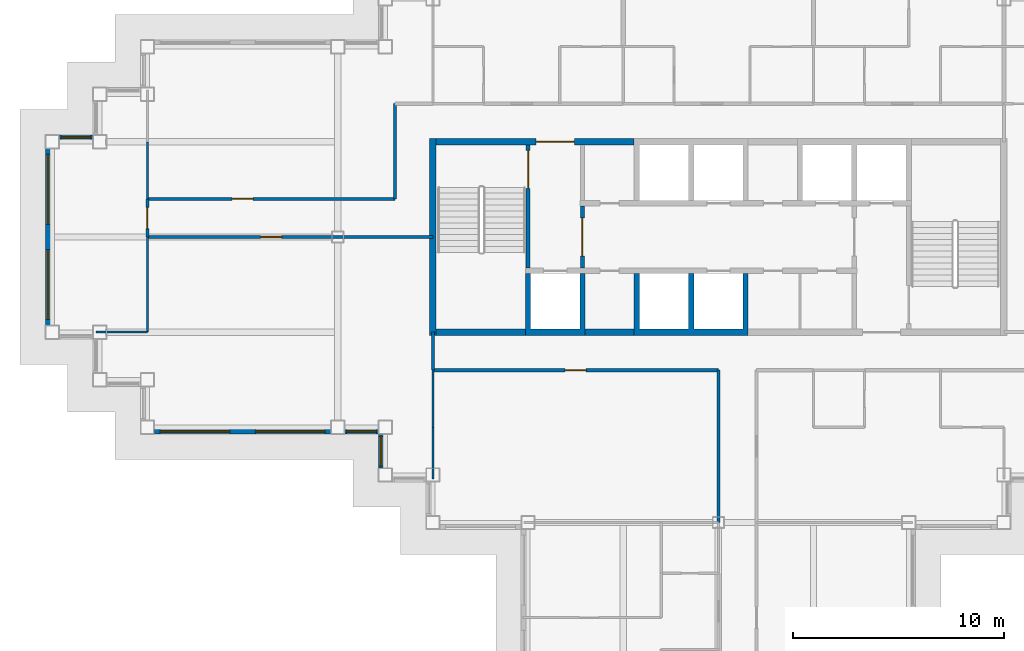
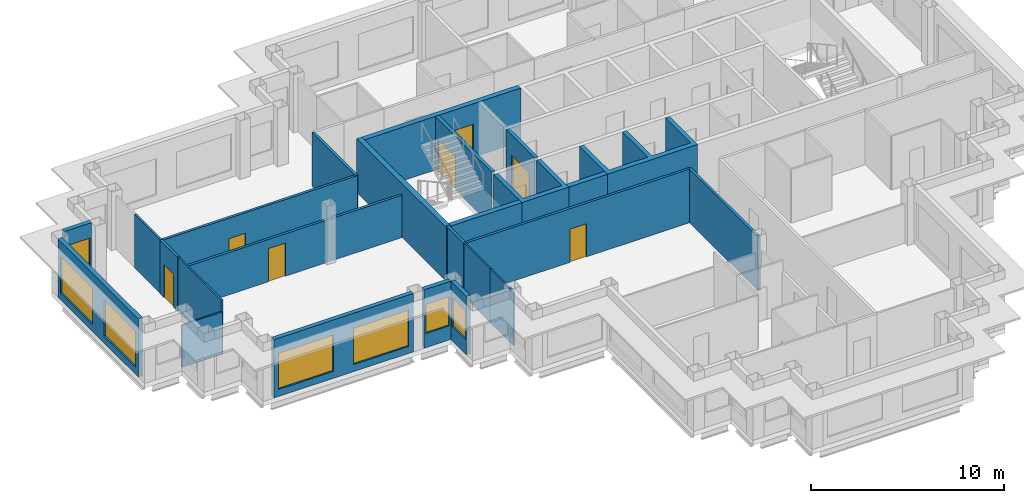
# One storey, part 3 of 11: 25 walls, 7 doors, 7 windows, 14 openings.
"""IFC4 building model written with IfcOpenShell, lengths in metres."""

from ifc_helpers import new_model, si_unit, direction, frame, frame_2d, origin, place, context, subcontext, project, spatial, polyline, rectangle, outline, extrude, material, layer, layer_set, type_object, element, fill, save


model = new_model("IFC4")

# Units and contexts
model_context = context("Model", 3, precision=1e-05, world=origin(), true_north=direction((0.0, 1.0)))
body_context = subcontext(model_context, "Body", "Model", "MODEL_VIEW")
ifc_project = project(units=[si_unit("LENGTHUNIT", "METRE"), si_unit("AREAUNIT", "SQUARE_METRE"), si_unit("VOLUMEUNIT", "CUBIC_METRE"), si_unit("PLANEANGLEUNIT", "RADIAN"), si_unit("MASSUNIT", "GRAM", prefix="KILO")], contexts=[model_context])

# Site, building, storey
site_placement = place(None, origin())
site = spatial("IfcSite", under=ifc_project, at=site_placement, CompositionType="ELEMENT")
building_placement = place(site_placement, origin())
building = spatial("IfcBuilding", under=site, at=building_placement, Name="Caravel Reach Hotel and Residences", CompositionType="ELEMENT")
storey_placement = place(building_placement, frame((0.0, 0.0, 225.699951171875)))
storey = spatial("IfcBuildingStorey", under=building, at=storey_placement, Name="L57", CompositionType="ELEMENT", Elevation=225.699951171875)

# Walls
ifc_material_1 = material(Name="Concrete C60", Category="concrete")
ifc_layer_1 = layer(ifc_material_1, 0.300048828125)
ifc_layer_set_1 = layer_set([ifc_layer_1], Name="Core wall 300 mm EI 120")
wall_type_1 = type_object("IfcWallType", Name="Core wall 300 mm EI 120", PredefinedType="SHEAR", material=ifc_layer_set_1)
wall_1_placement = place(storey_placement, frame((18.14990234375, 22.5, 0.0), z_axis=(0.0, 0.0, 1.0), x_axis=(1.0, 0.0, 0.0)))
element("IfcWall", 1, at=wall_1_placement, inside=storey, type_object=wall_type_1, Name="L57 core wall S1", PredefinedType="SHEAR", context=body_context, shape_type="SweptSolid", body=[
    extrude(rectangle(XDim=4.22509765625, YDim=0.300048828125, at=frame_2d((2.112548828125, 0.0))), origin(), (0.0, 0.0, 1.0), 3.400146484375),
])
wall_2_placement = place(storey_placement, frame((25.196533203125, 22.5, 0.0), z_axis=(0.0, 0.0, 1.0), x_axis=(1.0, 0.0, 0.0)))
element("IfcWall", 2, at=wall_2_placement, inside=storey, type_object=wall_type_1, Name="L57 core wall S2", PredefinedType="SHEAR", context=body_context, shape_type="SweptSolid", body=[
    extrude(rectangle(XDim=2.3212890625, YDim=0.300048828125, at=frame_2d((1.16064453125, 0.0))), origin(), (0.0, 0.0, 1.0), 3.400146484375),
])

# Wall, opening, door
wall_3_placement = place(storey_placement, frame((18.14990234375, 31.5, 0.0), z_axis=(0.0, 0.0, 1.0), x_axis=(1.0, 0.0, 0.0)))
wall_3 = element("IfcWall", 3, at=wall_3_placement, inside=storey, type_object=wall_type_1, Name="L57 core wall N1", PredefinedType="SHEAR", context=body_context, shape_type="SweptSolid", body=[
    extrude(rectangle(XDim=9.367919921875, YDim=0.300048828125, at=frame_2d((4.68408203125, 0.0))), origin(), (0.0, 0.0, 1.0), 3.400146484375),
])
opening_1_placement = place(wall_3_placement, frame((4.735595703125, 0.0, 0.0)))
opening_1 = element("IfcOpeningElement", 4, at=opening_1_placement, cuts=wall_3, Name="Opening D57-015", PredefinedType="OPENING", context=body_context, shape_type="SweptSolid", body=[
    extrude(rectangle(XDim=1.800048828125, YDim=2.10009765625, at=frame_2d((0.89990234375, 1.050048828125))), frame((0.0, 0.159912109375, 0.0), z_axis=(0.0, -1.0, 0.0), x_axis=(1.0, 0.0, 0.0)), (0.0, 0.0, 1.0), 0.320068359375),
])
ifc_material_2 = material(Name="Steel fire door leaf", Category="steel")
door_type_1 = type_object("IfcDoorType", Name="Fire lobby door pair 1800 x 2100 EI 90", OperationType="DOUBLE_DOOR_SINGLE_SWING", PredefinedType="DOOR", material=ifc_material_2)
door_1_placement = place(opening_1_placement, origin())
door_1 = element("IfcDoor", 5, at=door_1_placement, inside=storey, type_object=door_type_1, Name="lobby N door pair to corridor", OperationType="DOUBLE_DOOR_SINGLE_SWING", OverallHeight=2.10009765625, OverallWidth=1.800048828125, PredefinedType="DOOR", context=body_context, shape_type="SweptSolid", body=[
    extrude(rectangle(XDim=1.800048828125, YDim=2.10009765625, at=frame_2d((0.89990234375, 1.050048828125))), frame((0.0, 0.02490234375, 0.0), z_axis=(0.0, -1.0, 0.0), x_axis=(1.0, 0.0, 0.0)), (0.0, 0.0, 1.0), 0.050048828125),
])
fill(opening_1, door_1)

# Wall
wall_4_placement = place(storey_placement, frame((18.0, 22.35009765625, 0.0), z_axis=(0.0, 0.0, 1.0), x_axis=(0.0, 1.0, 0.0)))
element("IfcWall", 6, at=wall_4_placement, inside=storey, type_object=wall_type_1, Name="L57 core wall W", PredefinedType="SHEAR", context=body_context, shape_type="SweptSolid", body=[
    extrude(rectangle(XDim=9.2998046875, YDim=0.300048828125, at=frame_2d((4.64990234375, 0.0))), origin(), (0.0, 0.0, 1.0), 3.400146484375),
])

# Wall, opening, door
ifc_material_3 = material(Name="Gypsum board on steel stud, fire-rated", Category="steel")
ifc_layer_2 = layer(ifc_material_3, 0.14990234375)
ifc_layer_set_2 = layer_set([ifc_layer_2], Name="Corridor wall 150 mm EI 60")
wall_type_2 = type_object("IfcWallType", Name="Corridor wall 150 mm EI 60", PredefinedType="PARTITIONING", material=ifc_layer_set_2)
wall_5_placement = place(storey_placement, frame((18.0, 20.699951171875, 0.0), z_axis=(0.0, 0.0, 1.0), x_axis=(1.0, 0.0, 0.0)))
wall_5 = element("IfcWall", 7, at=wall_5_placement, inside=storey, type_object=wall_type_2, Name="L57 wall w005", PredefinedType="PARTITIONING", context=body_context, shape_type="SweptSolid", body=[
    extrude(rectangle(XDim=13.5, YDim=0.14990234375, at=frame_2d((6.75, 0.0))), origin(), (0.0, 0.0, 1.0), 3.400146484375),
])
opening_2_placement = place(wall_5_placement, frame((6.25, 0.0, 0.0)))
opening_2 = element("IfcOpeningElement", 8, at=opening_2_placement, cuts=wall_5, Name="Opening D57-029", PredefinedType="OPENING", context=body_context, shape_type="SweptSolid", body=[
    extrude(rectangle(XDim=1.0, YDim=2.10009765625, at=frame_2d((0.5, 1.050048828125))), frame((0.0, 0.0849609375, 0.0), z_axis=(0.0, -1.0, 0.0), x_axis=(1.0, 0.0, 0.0)), (0.0, 0.0, 1.0), 0.169921875),
])
ifc_material_4 = material(Name="Steel fire door leaf", Category="steel")
door_type_2 = type_object("IfcDoorType", Name="Fire door 1000 x 2100 EI 60", OperationType="SINGLE_SWING_LEFT", PredefinedType="DOOR", material=ifc_material_4)
door_2_placement = place(opening_2_placement, origin())
door_2 = element("IfcDoor", 9, at=door_2_placement, inside=storey, type_object=door_type_2, Name="door D57-029", OperationType="SINGLE_SWING_LEFT", OverallHeight=2.10009765625, OverallWidth=1.0, PredefinedType="DOOR", context=body_context, shape_type="SweptSolid", body=[
    extrude(rectangle(XDim=1.0, YDim=2.10009765625, at=frame_2d((0.5, 1.050048828125))), frame((0.0, 0.02490234375, 0.0), z_axis=(0.0, -1.0, 0.0), x_axis=(1.0, 0.0, 0.0)), (0.0, 0.0, 1.0), 0.050048828125),
])
fill(opening_2, door_2)

wall_6_placement = place(storey_placement, frame((4.5, 27.0, 0.0), z_axis=(0.0, 0.0, 1.0), x_axis=(1.0, 0.0, 0.0)))
wall_6 = element("IfcWall", 10, at=wall_6_placement, inside=storey, type_object=wall_type_2, Name="L57 wall w007", PredefinedType="PARTITIONING", context=body_context, shape_type="SweptSolid", body=[
    extrude(rectangle(XDim=13.5, YDim=0.14990234375, at=frame_2d((6.75, 0.0))), origin(), (0.0, 0.0, 1.0), 2.679931640625),
])
opening_3_placement = place(wall_6_placement, frame((5.35009765625, 0.0, 0.0)))
opening_3 = element("IfcOpeningElement", 11, at=opening_3_placement, cuts=wall_6, Name="Opening D57-028", PredefinedType="OPENING", context=body_context, shape_type="SweptSolid", body=[
    extrude(rectangle(XDim=1.0, YDim=2.10009765625, at=frame_2d((0.5, 1.050048828125))), frame((0.0, 0.0849609375, 0.0), z_axis=(0.0, -1.0, 0.0), x_axis=(1.0, 0.0, 0.0)), (0.0, 0.0, 1.0), 0.169921875),
])
door_3_placement = place(opening_3_placement, origin())
door_3 = element("IfcDoor", 12, at=door_3_placement, inside=storey, type_object=door_type_2, Name="door D57-028", OperationType="SINGLE_SWING_LEFT", OverallHeight=2.10009765625, OverallWidth=1.0, PredefinedType="DOOR", context=body_context, shape_type="SweptSolid", body=[
    extrude(rectangle(XDim=1.0, YDim=2.10009765625, at=frame_2d((0.5, 1.050048828125))), frame((0.0, 0.02490234375, 0.0), z_axis=(0.0, -1.0, 0.0), x_axis=(1.0, 0.0, 0.0)), (0.0, 0.0, 1.0), 0.050048828125),
])
fill(opening_3, door_3)

wall_7_placement = place(storey_placement, frame((4.5, 28.800048828125, 0.0), z_axis=(0.0, 0.0, 1.0), x_axis=(1.0, 0.0, 0.0)))
wall_7 = element("IfcWall", 13, at=wall_7_placement, inside=storey, type_object=wall_type_2, Name="L57 wall w008", PredefinedType="PARTITIONING", context=body_context, shape_type="SweptSolid", body=[
    extrude(rectangle(XDim=11.698974609375, YDim=0.14990234375, at=frame_2d((5.849609375, 0.0))), origin(), (0.0, 0.0, 1.0), 3.400146484375),
])
opening_4_placement = place(wall_7_placement, frame((4.0, 0.0, 0.0)))
opening_4 = element("IfcOpeningElement", 14, at=opening_4_placement, cuts=wall_7, Name="Opening D57-027", PredefinedType="OPENING", context=body_context, shape_type="SweptSolid", body=[
    extrude(rectangle(XDim=1.0, YDim=2.10009765625, at=frame_2d((0.5, 1.050048828125))), frame((0.0, 0.0849609375, 0.0), z_axis=(0.0, -1.0, 0.0), x_axis=(1.0, 0.0, 0.0)), (0.0, 0.0, 1.0), 0.169921875),
])
door_4_placement = place(opening_4_placement, origin())
door_4 = element("IfcDoor", 15, at=door_4_placement, inside=storey, type_object=door_type_2, Name="door D57-027", OperationType="SINGLE_SWING_LEFT", OverallHeight=2.10009765625, OverallWidth=1.0, PredefinedType="DOOR", context=body_context, shape_type="SweptSolid", body=[
    extrude(rectangle(XDim=1.0, YDim=2.10009765625, at=frame_2d((0.5, 1.050048828125))), frame((0.0, 0.02490234375, 0.0), z_axis=(0.0, -1.0, 0.0), x_axis=(1.0, 0.0, 0.0)), (0.0, 0.0, 1.0), 0.050048828125),
])
fill(opening_4, door_4)

# Walls
wall_8_placement = place(storey_placement, frame((16.199951171875, 28.801025390625, 0.0), z_axis=(0.0, 0.0, 1.0), x_axis=(0.0, 1.0, 0.0)))
element("IfcWall", 16, at=wall_8_placement, inside=storey, type_object=wall_type_2, Name="L57 wall w018", PredefinedType="PARTITIONING", context=body_context, shape_type="SweptSolid", body=[
    extrude(rectangle(XDim=4.4990234375, YDim=0.14990234375, at=frame_2d((2.24951171875, 0.0))), origin(), (0.0, 0.0, 1.0), 3.400146484375),
])
wall_9_placement = place(storey_placement, frame((18.0, 20.699951171875, 0.0), z_axis=(0.0, 0.0, 1.0), x_axis=(0.0, 1.0, 0.0)))
element("IfcWall", 17, at=wall_9_placement, inside=storey, type_object=wall_type_2, Name="L57 wall w019", PredefinedType="PARTITIONING", context=body_context, shape_type="SweptSolid", body=[
    extrude(rectangle(XDim=1.800048828125, YDim=0.14990234375, at=frame_2d((0.89990234375, 0.0))), origin(), (0.0, 0.0, 1.0), 3.400146484375),
])
wall_10_placement = place(storey_placement, frame((31.5, 13.5, 0.0), z_axis=(0.0, 0.0, 1.0), x_axis=(0.0, 1.0, 0.0)))
element("IfcWall", 18, at=wall_10_placement, inside=storey, type_object=wall_type_2, Name="L57 wall w022", PredefinedType="PARTITIONING", context=body_context, shape_type="SweptSolid", body=[
    extrude(rectangle(XDim=7.199951171875, YDim=0.14990234375, at=frame_2d((3.60009765625, 0.0))), origin(), (0.0, 0.0, 1.0), 3.400146484375),
])

# Wall, opening, door
wall_11_placement = place(storey_placement, frame((4.5, 27.0, 0.0), z_axis=(0.0, 0.0, 1.0), x_axis=(0.0, 1.0, 0.0)))
wall_11 = element("IfcWall", 19, at=wall_11_placement, inside=storey, type_object=wall_type_2, Name="L57 wall w025", PredefinedType="PARTITIONING", context=body_context, shape_type="SweptSolid", body=[
    extrude(rectangle(XDim=1.800048828125, YDim=0.14990234375, at=frame_2d((0.89990234375, 0.0))), origin(), (0.0, 0.0, 1.0), 3.400146484375),
])
opening_5_placement = place(wall_11_placement, frame((0.39990234375, 0.0, 0.0)))
opening_5 = element("IfcOpeningElement", 20, at=opening_5_placement, cuts=wall_11, Name="Opening D57-038", PredefinedType="OPENING", context=body_context, shape_type="SweptSolid", body=[
    extrude(rectangle(XDim=1.0, YDim=2.10009765625, at=frame_2d((0.5, 1.050048828125))), frame((0.0, 0.0849609375, 0.0), z_axis=(0.0, -1.0, 0.0), x_axis=(1.0, 0.0, 0.0)), (0.0, 0.0, 1.0), 0.169921875),
])
door_5_placement = place(opening_5_placement, origin())
door_5 = element("IfcDoor", 21, at=door_5_placement, inside=storey, type_object=door_type_2, Name="door D57-038", OperationType="SINGLE_SWING_RIGHT", OverallHeight=2.10009765625, OverallWidth=1.0, PredefinedType="DOOR", context=body_context, shape_type="SweptSolid", body=[
    extrude(rectangle(XDim=1.0, YDim=2.10009765625, at=frame_2d((0.5, 1.050048828125))), frame((0.0, 0.02490234375, 0.0), z_axis=(0.0, -1.0, 0.0), x_axis=(1.0, 0.0, 0.0)), (0.0, 0.0, 1.0), 0.050048828125),
])
fill(opening_5, door_5)

# Wall, opening, window
ifc_material_5 = material(Name="Insulated rainscreen wall, aluminium cladding", Category="aluminium")
ifc_layer_3 = layer(ifc_material_5, 0.25)
ifc_layer_set_3 = layer_set([ifc_layer_3], Name="EW1 Tower rainscreen wall")
wall_type_3 = type_object("IfcWallType", Name="EW1 Tower rainscreen wall", PredefinedType="SOLIDWALL", material=ifc_layer_set_3)
wall_12_placement = place(storey_placement, frame((1.925048828125, 31.699951171875, 0.0), z_axis=(0.0, 0.0, 1.0), x_axis=(-1.0, 0.0, 0.0)))
wall_12 = element("IfcWall", 22, at=wall_12_placement, inside=storey, type_object=wall_type_3, Name="External wall L57 N19.1", PredefinedType="SOLIDWALL", context=body_context, shape_type="SweptSolid", body=[
    extrude(rectangle(XDim=1.60009765625, YDim=0.25, at=frame_2d((0.800048828125, 0.0))), origin(), (0.0, 0.0, 1.0), 3.699951171875),
])
opening_6_placement = place(wall_12_placement, frame((0.10009765625, 0.0, 0.89990234375)))
opening_6 = element("IfcOpeningElement", 23, at=opening_6_placement, cuts=wall_12, Name="Opening WN22", PredefinedType="OPENING", context=body_context, shape_type="SweptSolid", body=[
    extrude(rectangle(XDim=1.39990234375, YDim=1.85009765625, at=frame_2d((0.699951171875, 0.925048828125))), frame((0.0, 0.135009765625, 0.0), z_axis=(0.0, -1.0, 0.0), x_axis=(1.0, 0.0, 0.0)), (0.0, 0.0, 1.0), 0.27001953125),
])
ifc_material_6 = material(Name="Dark low-e glazing in black aluminium frame", Category="aluminium")
window_type_1 = type_object("IfcWindowType", Name="Residence bedroom window 1400 x 1850", PartitioningType="SINGLE_PANEL", PredefinedType="WINDOW", material=ifc_material_6)
window_1_placement = place(opening_6_placement, origin())
window_1 = element("IfcWindow", 24, at=window_1_placement, inside=storey, type_object=window_type_1, Name="Window L57 N19.1.1", OverallHeight=1.85009765625, OverallWidth=1.39990234375, PartitioningType="SINGLE_PANEL", PredefinedType="WINDOW", context=body_context, shape_type="SweptSolid", body=[
    extrude(rectangle(XDim=1.39990234375, YDim=1.85009765625, at=frame_2d((0.699951171875, 0.925048828125))), frame((0.0, 0.030029296875, 0.0), z_axis=(0.0, -1.0, 0.0), x_axis=(1.0, 0.0, 0.0)), (0.0, 0.0, 1.0), 0.06005859375),
])
fill(opening_6, window_1)

# Wall, openings, windows
wall_13_placement = place(storey_placement, frame((-0.199951171875, 31.175048828125, 0.0), z_axis=(0.0, 0.0, 1.0), x_axis=(0.0, -1.0, 0.0)))
wall_13 = element("IfcWall", 25, at=wall_13_placement, inside=storey, type_object=wall_type_3, Name="External wall L57 W20.1", PredefinedType="SOLIDWALL", context=body_context, shape_type="SweptSolid", body=[
    extrude(rectangle(XDim=8.35009765625, YDim=0.25, at=frame_2d((4.175048828125, 0.0))), origin(), (0.0, 0.0, 1.0), 3.699951171875),
])
opening_7_placement = place(wall_13_placement, frame((0.27490234375, 0.0, 0.449951171875)))
opening_7 = element("IfcOpeningElement", 26, at=opening_7_placement, cuts=wall_13, Name="Opening WN15", PredefinedType="OPENING", context=body_context, shape_type="SweptSolid", body=[
    extrude(rectangle(XDim=3.300048828125, YDim=2.300048828125, at=frame_2d((1.64990234375, 1.14990234375))), frame((0.0, 0.135009765625, 0.0), z_axis=(0.0, -1.0, 0.0), x_axis=(1.0, 0.0, 0.0)), (0.0, 0.0, 1.0), 0.27001953125),
])
opening_8_placement = place(wall_13_placement, frame((4.77490234375, 0.0, 0.449951171875)))
opening_8 = element("IfcOpeningElement", 27, at=opening_8_placement, cuts=wall_13, Name="Opening WN15", PredefinedType="OPENING", context=body_context, shape_type="SweptSolid", body=[
    extrude(rectangle(XDim=3.300048828125, YDim=2.300048828125, at=frame_2d((1.64990234375, 1.14990234375))), frame((0.0, 0.135009765625, 0.0), z_axis=(0.0, -1.0, 0.0), x_axis=(1.0, 0.0, 0.0)), (0.0, 0.0, 1.0), 0.27001953125),
])
ifc_material_7 = material(Name="Dark low-e glazing in black aluminium frame", Category="aluminium")
window_type_2 = type_object("IfcWindowType", Name="Residence living window 3300 x 2300", PartitioningType="SINGLE_PANEL", PredefinedType="WINDOW", material=ifc_material_7)
window_2_placement = place(opening_7_placement, origin())
window_2 = element("IfcWindow", 28, at=window_2_placement, inside=storey, type_object=window_type_2, Name="Window L57 W20.1.1", OverallHeight=2.300048828125, OverallWidth=3.300048828125, PartitioningType="SINGLE_PANEL", PredefinedType="WINDOW", context=body_context, shape_type="SweptSolid", body=[
    extrude(rectangle(XDim=3.300048828125, YDim=2.300048828125, at=frame_2d((1.64990234375, 1.14990234375))), frame((0.0, 0.030029296875, 0.0), z_axis=(0.0, -1.0, 0.0), x_axis=(1.0, 0.0, 0.0)), (0.0, 0.0, 1.0), 0.06005859375),
])
fill(opening_7, window_2)
window_3_placement = place(opening_8_placement, origin())
window_3 = element("IfcWindow", 29, at=window_3_placement, inside=storey, type_object=window_type_2, Name="Window L57 W20.1.2", OverallHeight=2.300048828125, OverallWidth=3.300048828125, PartitioningType="SINGLE_PANEL", PredefinedType="WINDOW", context=body_context, shape_type="SweptSolid", body=[
    extrude(rectangle(XDim=3.300048828125, YDim=2.300048828125, at=frame_2d((1.64990234375, 1.14990234375))), frame((0.0, 0.030029296875, 0.0), z_axis=(0.0, -1.0, 0.0), x_axis=(1.0, 0.0, 0.0)), (0.0, 0.0, 1.0), 0.06005859375),
])
fill(opening_8, window_3)

wall_14_placement = place(storey_placement, frame((4.824951171875, 17.800048828125, 0.0), z_axis=(0.0, 0.0, 1.0), x_axis=(1.0, 0.0, 0.0)))
wall_14 = element("IfcWall", 30, at=wall_14_placement, inside=storey, type_object=wall_type_3, Name="External wall L57 S25.1", PredefinedType="SOLIDWALL", context=body_context, shape_type="SweptSolid", body=[
    extrude(rectangle(XDim=8.35009765625, YDim=0.25, at=frame_2d((4.175048828125, 0.0))), origin(), (0.0, 0.0, 1.0), 3.699951171875),
])
opening_9_placement = place(wall_14_placement, frame((0.27490234375, 0.0, 0.449951171875)))
opening_9 = element("IfcOpeningElement", 31, at=opening_9_placement, cuts=wall_14, Name="Opening WN15", PredefinedType="OPENING", context=body_context, shape_type="SweptSolid", body=[
    extrude(rectangle(XDim=3.300048828125, YDim=2.300048828125, at=frame_2d((1.64990234375, 1.14990234375))), frame((0.0, 0.135009765625, 0.0), z_axis=(0.0, -1.0, 0.0), x_axis=(1.0, 0.0, 0.0)), (0.0, 0.0, 1.0), 0.27001953125),
])
opening_10_placement = place(wall_14_placement, frame((4.77490234375, 0.0, 0.449951171875)))
opening_10 = element("IfcOpeningElement", 32, at=opening_10_placement, cuts=wall_14, Name="Opening WN15", PredefinedType="OPENING", context=body_context, shape_type="SweptSolid", body=[
    extrude(rectangle(XDim=3.300048828125, YDim=2.300048828125, at=frame_2d((1.64990234375, 1.14990234375))), frame((0.0, 0.135009765625, 0.0), z_axis=(0.0, -1.0, 0.0), x_axis=(1.0, 0.0, 0.0)), (0.0, 0.0, 1.0), 0.27001953125),
])
window_4_placement = place(opening_9_placement, origin())
window_4 = element("IfcWindow", 33, at=window_4_placement, inside=storey, type_object=window_type_2, Name="Window L57 S25.1.1", OverallHeight=2.300048828125, OverallWidth=3.300048828125, PartitioningType="SINGLE_PANEL", PredefinedType="WINDOW", context=body_context, shape_type="SweptSolid", body=[
    extrude(rectangle(XDim=3.300048828125, YDim=2.300048828125, at=frame_2d((1.64990234375, 1.14990234375))), frame((0.0, 0.030029296875, 0.0), z_axis=(0.0, -1.0, 0.0), x_axis=(1.0, 0.0, 0.0)), (0.0, 0.0, 1.0), 0.06005859375),
])
fill(opening_9, window_4)
window_5_placement = place(opening_10_placement, origin())
window_5 = element("IfcWindow", 34, at=window_5_placement, inside=storey, type_object=window_type_2, Name="Window L57 S25.1.2", OverallHeight=2.300048828125, OverallWidth=3.300048828125, PartitioningType="SINGLE_PANEL", PredefinedType="WINDOW", context=body_context, shape_type="SweptSolid", body=[
    extrude(rectangle(XDim=3.300048828125, YDim=2.300048828125, at=frame_2d((1.64990234375, 1.14990234375))), frame((0.0, 0.030029296875, 0.0), z_axis=(0.0, -1.0, 0.0), x_axis=(1.0, 0.0, 0.0)), (0.0, 0.0, 1.0), 0.06005859375),
])
fill(opening_10, window_5)

# Wall, opening, window
wall_15_placement = place(storey_placement, frame((13.824951171875, 17.800048828125, 0.0), z_axis=(0.0, 0.0, 1.0), x_axis=(1.0, 0.0, 0.0)))
wall_15 = element("IfcWall", 35, at=wall_15_placement, inside=storey, type_object=wall_type_3, Name="External wall L57 S25.2", PredefinedType="SOLIDWALL", context=body_context, shape_type="SweptSolid", body=[
    extrude(rectangle(XDim=1.60009765625, YDim=0.25, at=frame_2d((0.800048828125, 0.0))), origin(), (0.0, 0.0, 1.0), 3.699951171875),
])
opening_11_placement = place(wall_15_placement, frame((0.10009765625, 0.0, 0.89990234375)))
opening_11 = element("IfcOpeningElement", 36, at=opening_11_placement, cuts=wall_15, Name="Opening WN22", PredefinedType="OPENING", context=body_context, shape_type="SweptSolid", body=[
    extrude(rectangle(XDim=1.39990234375, YDim=1.85009765625, at=frame_2d((0.699951171875, 0.925048828125))), frame((0.0, 0.135009765625, 0.0), z_axis=(0.0, -1.0, 0.0), x_axis=(1.0, 0.0, 0.0)), (0.0, 0.0, 1.0), 0.27001953125),
])
window_6_placement = place(opening_11_placement, origin())
window_6 = element("IfcWindow", 37, at=window_6_placement, inside=storey, type_object=window_type_1, Name="Window L57 S25.2.1", OverallHeight=1.85009765625, OverallWidth=1.39990234375, PartitioningType="SINGLE_PANEL", PredefinedType="WINDOW", context=body_context, shape_type="SweptSolid", body=[
    extrude(rectangle(XDim=1.39990234375, YDim=1.85009765625, at=frame_2d((0.699951171875, 0.925048828125))), frame((0.0, 0.030029296875, 0.0), z_axis=(0.0, -1.0, 0.0), x_axis=(1.0, 0.0, 0.0)), (0.0, 0.0, 1.0), 0.06005859375),
])
fill(opening_11, window_6)

wall_16_placement = place(storey_placement, frame((15.550048828125, 17.675048828125, 0.0), z_axis=(0.0, 0.0, 1.0), x_axis=(0.0, -1.0, 0.0)))
wall_16 = element("IfcWall", 38, at=wall_16_placement, inside=storey, type_object=wall_type_3, Name="External wall L57 W26.1", PredefinedType="SOLIDWALL", context=body_context, shape_type="SweptSolid", body=[
    extrude(rectangle(XDim=1.60009765625, YDim=0.25, at=frame_2d((0.800048828125, 0.0))), origin(), (0.0, 0.0, 1.0), 3.699951171875),
])
opening_12_placement = place(wall_16_placement, frame((0.10009765625, 0.0, 0.89990234375)))
opening_12 = element("IfcOpeningElement", 39, at=opening_12_placement, cuts=wall_16, Name="Opening WN22", PredefinedType="OPENING", context=body_context, shape_type="SweptSolid", body=[
    extrude(rectangle(XDim=1.39990234375, YDim=1.85009765625, at=frame_2d((0.699951171875, 0.925048828125))), frame((0.0, 0.135009765625, 0.0), z_axis=(0.0, -1.0, 0.0), x_axis=(1.0, 0.0, 0.0)), (0.0, 0.0, 1.0), 0.27001953125),
])
window_7_placement = place(opening_12_placement, origin())
window_7 = element("IfcWindow", 40, at=window_7_placement, inside=storey, type_object=window_type_1, Name="Window L57 W26.1.1", OverallHeight=1.85009765625, OverallWidth=1.39990234375, PartitioningType="SINGLE_PANEL", PredefinedType="WINDOW", context=body_context, shape_type="SweptSolid", body=[
    extrude(rectangle(XDim=1.39990234375, YDim=1.85009765625, at=frame_2d((0.699951171875, 0.925048828125))), frame((0.0, 0.030029296875, 0.0), z_axis=(0.0, -1.0, 0.0), x_axis=(1.0, 0.0, 0.0)), (0.0, 0.0, 1.0), 0.06005859375),
])
fill(opening_12, window_7)

# Wall, opening, door
ifc_material_8 = material(Name="Autoclaved aerated block wall")
ifc_layer_4 = layer(ifc_material_8, 0.199951171875)
ifc_layer_set_4 = layer_set([ifc_layer_4], Name="Fire lobby wall 200 mm EI 120")
wall_type_4 = type_object("IfcWallType", Name="Fire lobby wall 200 mm EI 120", PredefinedType="PARTITIONING", material=ifc_layer_set_4)
wall_17_placement = place(storey_placement, frame((25.071533203125, 25.52490234375, 0.0), z_axis=(0.0, 0.0, 1.0), x_axis=(0.0, 1.0, 0.0)))
wall_17 = element("IfcWall", 41, at=wall_17_placement, inside=storey, type_object=wall_type_4, Name="L57 lobby W wall", PredefinedType="PARTITIONING", context=body_context, shape_type="SweptSolid", body=[
    extrude(rectangle(XDim=2.9501953125, YDim=0.199951171875, at=frame_2d((1.47509765625, 0.0))), origin(), (0.0, 0.0, 1.0), 3.400146484375),
])
opening_13_placement = place(wall_17_placement, frame((0.574951171875, 0.0, 0.0)))
opening_13 = element("IfcOpeningElement", 42, at=opening_13_placement, cuts=wall_17, Name="Opening D57-013", PredefinedType="OPENING", context=body_context, shape_type="SweptSolid", body=[
    extrude(rectangle(XDim=1.800048828125, YDim=2.10009765625, at=frame_2d((0.89990234375, 1.050048828125))), frame((0.0, 0.10986328125, 0.0), z_axis=(0.0, -1.0, 0.0), x_axis=(1.0, 0.0, 0.0)), (0.0, 0.0, 1.0), 0.219970703125),
])
door_6_placement = place(opening_13_placement, origin())
door_6 = element("IfcDoor", 43, at=door_6_placement, inside=storey, type_object=door_type_1, Name="lobby W door pair", OperationType="DOUBLE_DOOR_SINGLE_SWING", OverallHeight=2.10009765625, OverallWidth=1.800048828125, PredefinedType="DOOR", context=body_context, shape_type="SweptSolid", body=[
    extrude(rectangle(XDim=1.800048828125, YDim=2.10009765625, at=frame_2d((0.89990234375, 1.050048828125))), frame((0.0, 0.02490234375, 0.0), z_axis=(0.0, -1.0, 0.0), x_axis=(1.0, 0.0, 0.0)), (0.0, 0.0, 1.0), 0.050048828125),
])
fill(opening_13, door_6)

# Walls
ifc_material_9 = material(Name="Gypsum board on steel stud", Category="steel")
ifc_layer_5 = layer(ifc_material_9, 0.10009765625)
ifc_layer_set_5 = layer_set([ifc_layer_5], Name="Partition 100 mm")
wall_type_5 = type_object("IfcWallType", Name="Partition 100 mm", PredefinedType="PARTITIONING", material=ifc_layer_set_5)
wall_18_placement = place(storey_placement, frame((2.06005859375, 22.5, 0.0), z_axis=(0.0, 0.0, 1.0), x_axis=(1.0, 0.0, 0.0)))
element("IfcWall", 44, at=wall_18_placement, inside=storey, type_object=wall_type_5, Name="L57 wall w031", PredefinedType="PARTITIONING", context=body_context, shape_type="SweptSolid", body=[
    extrude(rectangle(XDim=2.43896484375, YDim=0.10009765625, at=frame_2d((1.219482421875, 0.0))), origin(), (0.0, 0.0, 1.0), 2.679931640625),
])
wall_19_placement = place(storey_placement, frame((18.0, 15.56005859375, 0.0), z_axis=(0.0, 0.0, 1.0), x_axis=(0.0, 1.0, 0.0)))
element("IfcWall", 45, at=wall_19_placement, inside=storey, type_object=wall_type_5, Name="L57 wall w044", PredefinedType="PARTITIONING", context=body_context, shape_type="SweptSolid", body=[
    extrude(rectangle(XDim=2.43896484375, YDim=0.10009765625, at=frame_2d((1.219482421875, 0.0))), origin(), (0.0, 0.0, 1.0), 3.400146484375),
])
for number, where, z_axis, x_axis, name in (
    (46, (18.0, 18.0, 0.0), (0.0, 0.0, 1.0), (0.0, 1.0, 0.0), "L57 wall w045"),
    (47, (4.5, 28.800048828125, 0.0), (0.0, 0.0, 1.0), (0.0, 1.0, 0.0), "L57 wall w050"),
):
    element("IfcWall", number, at=place(storey_placement, frame(where, z_axis=z_axis, x_axis=x_axis)), inside=storey, type_object=wall_type_5, Name=name, PredefinedType="PARTITIONING", context=body_context, shape_type="SweptSolid", body=[
        extrude(rectangle(XDim=2.699951171875, YDim=0.10009765625, at=frame_2d((1.35009765625, 0.0))), origin(), (0.0, 0.0, 1.0), 3.400146484375),
    ])
wall_20_placement = place(storey_placement, frame((4.5, 22.5, 0.0), z_axis=(0.0, 0.0, 1.0), x_axis=(0.0, 1.0, 0.0)))
element("IfcWall", 48, at=wall_20_placement, inside=storey, type_object=wall_type_5, Name="L57 wall w052", PredefinedType="PARTITIONING", context=body_context, shape_type="SweptSolid", body=[
    extrude(rectangle(XDim=4.5, YDim=0.10009765625, at=frame_2d((2.25, 0.0))), origin(), (0.0, 0.0, 1.0), 3.400146484375),
])
ifc_material_10 = material(Name="Concrete C60", Category="concrete")
ifc_layer_6 = layer(ifc_material_10, 0.25)
ifc_layer_set_6 = layer_set([ifc_layer_6], Name="Shaft wall 250 mm EI 120")
wall_type_6 = type_object("IfcWallType", Name="Shaft wall 250 mm EI 120", PredefinedType="SHEAR", material=ifc_layer_set_6)
wall_21_placement = place(storey_placement, origin())
element("IfcWall", 49, at=wall_21_placement, inside=storey, type_object=wall_type_6, Name="L57 lift shaft wall S1", PredefinedType="SHEAR", context=body_context, shape_type="SweptSolid", body=[
    extrude(outline(polyline([(22.375, 22.35009765625), (25.196533203125, 22.35009765625), (25.196533203125, 25.27490234375), (24.946533203125, 25.27490234375), (24.946533203125, 22.64990234375), (22.625, 22.64990234375), (22.625, 25.27490234375), (22.375, 25.27490234375), (22.375, 22.35009765625)])), origin(), (0.0, 0.0, 1.0), 3.400146484375),
])
wall_22_placement = place(storey_placement, origin())
element("IfcWall", 50, at=wall_22_placement, inside=storey, type_object=wall_type_6, Name="L57 lift shaft wall S2", PredefinedType="SHEAR", context=body_context, shape_type="SweptSolid", body=[
    extrude(outline(polyline([(27.517822265625, 22.35009765625), (32.91064453125, 22.35009765625), (32.91064453125, 25.27490234375), (32.66064453125, 25.27490234375), (32.66064453125, 22.64990234375), (30.33935546875, 22.64990234375), (30.33935546875, 25.27490234375), (30.08935546875, 25.27490234375), (30.08935546875, 22.64990234375), (27.767822265625, 22.64990234375), (27.767822265625, 25.27490234375), (27.517822265625, 25.27490234375), (27.517822265625, 22.35009765625)])), origin(), (0.0, 0.0, 1.0), 3.400146484375),
])

# Wall, opening, door
ifc_material_11 = material(Name="Concrete C60", Category="concrete")
ifc_layer_7 = layer(ifc_material_11, 0.199951171875)
ifc_layer_set_7 = layer_set([ifc_layer_7], Name="Stair enclosure wall 200 mm EI 120")
wall_type_7 = type_object("IfcWallType", Name="Stair enclosure wall 200 mm EI 120", PredefinedType="SHEAR", material=ifc_layer_set_7)
wall_23_placement = place(storey_placement, frame((22.5, 31.35009765625, 0.0), z_axis=(0.0, 0.0, 1.0), x_axis=(0.0, -1.0, 0.0)))
wall_23 = element("IfcWall", 51, at=wall_23_placement, inside=storey, type_object=wall_type_7, Name="L57 stair A wall", PredefinedType="SHEAR", context=body_context, shape_type="SweptSolid", body=[
    extrude(rectangle(XDim=5.8251953125, YDim=0.199951171875, at=frame_2d((2.91259765625, 0.0))), origin(), (0.0, 0.0, 1.0), 3.400146484375),
])
opening_14_placement = place(wall_23_placement, frame((0.25, 0.0, 0.0)))
opening_14 = element("IfcOpeningElement", 52, at=opening_14_placement, cuts=wall_23, Name="Opening D57-011", PredefinedType="OPENING", context=body_context, shape_type="SweptSolid", body=[
    extrude(rectangle(XDim=1.800048828125, YDim=2.10009765625, at=frame_2d((0.89990234375, 1.050048828125))), frame((0.0, 0.10986328125, 0.0), z_axis=(0.0, -1.0, 0.0), x_axis=(1.0, 0.0, 0.0)), (0.0, 0.0, 1.0), 0.219970703125),
])
ifc_material_12 = material(Name="Steel fire door leaf", Category="steel")
door_type_3 = type_object("IfcDoorType", Name="Stair door pair 1800 x 2100 EI 90", OperationType="DOUBLE_DOOR_SINGLE_SWING", PredefinedType="DOOR", material=ifc_material_12)
door_7_placement = place(opening_14_placement, origin())
door_7 = element("IfcDoor", 53, at=door_7_placement, inside=storey, type_object=door_type_3, Name="stair A door pair", OperationType="DOUBLE_DOOR_SINGLE_SWING", OverallHeight=2.10009765625, OverallWidth=1.800048828125, PredefinedType="DOOR", context=body_context, shape_type="SweptSolid", body=[
    extrude(rectangle(XDim=1.800048828125, YDim=2.10009765625, at=frame_2d((0.89990234375, 1.050048828125))), frame((0.0, 0.02490234375, 0.0), z_axis=(0.0, -1.0, 0.0), x_axis=(1.0, 0.0, 0.0)), (0.0, 0.0, 1.0), 0.050048828125),
])
fill(opening_14, door_7)

save(model, "model.ifc")
